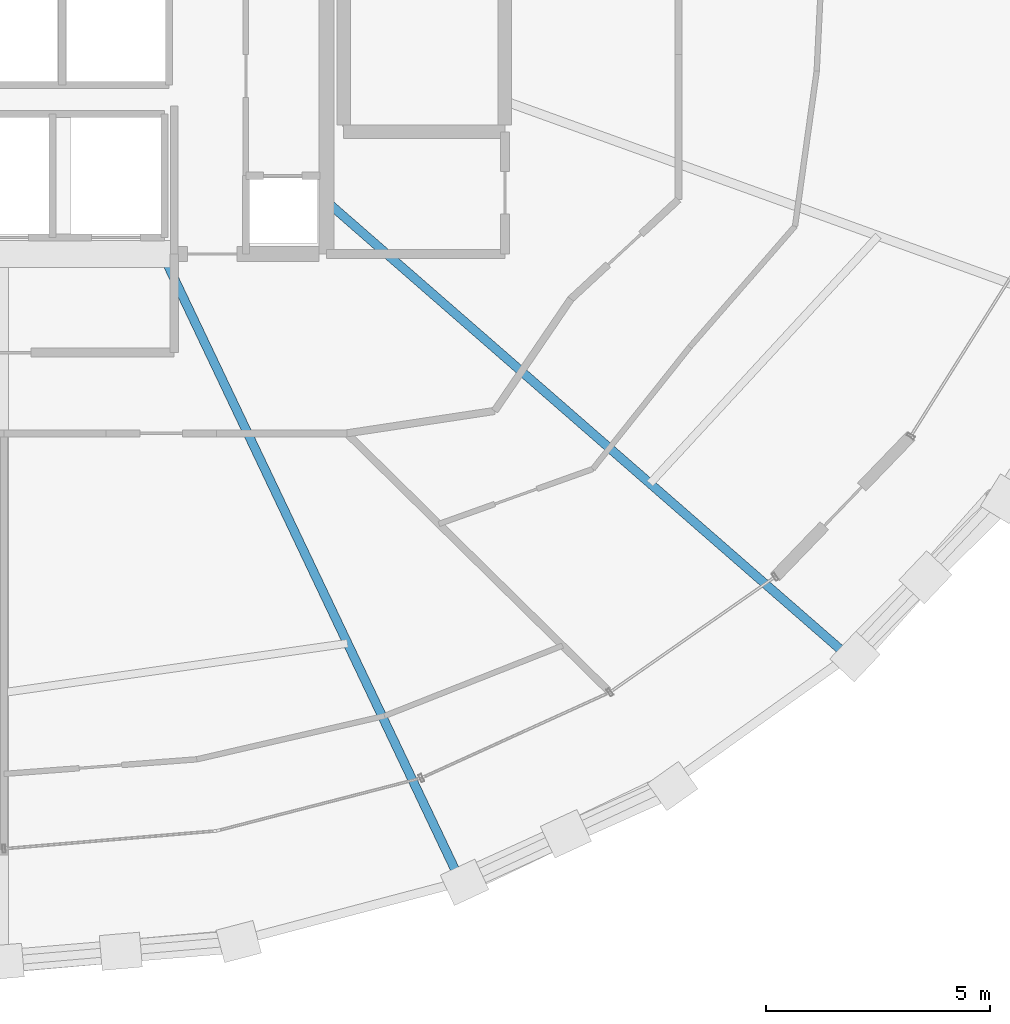
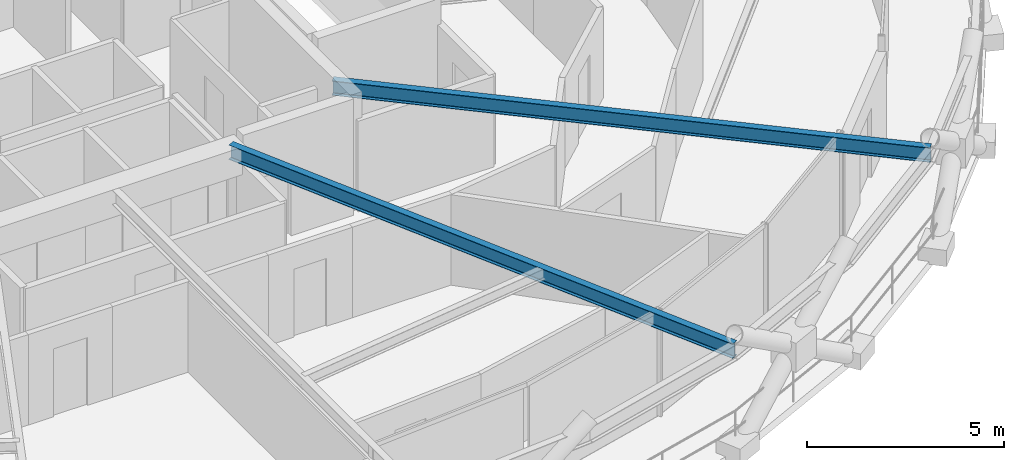
# One storey, part 5 of 16: 2 beams.
"""IFC4 building model written with IfcOpenShell, lengths in metres."""

from ifc_helpers import new_model, si_unit, direction, frame, origin, origin_2d, place, context, subcontext, project, spatial, i_section, extrude, material, material_profile, profile_set, type_object, element, save


model = new_model("IFC4")

# Units and contexts
model_context = context("Model", 3, precision=1e-05, world=origin(), true_north=direction((0.0, 1.0)))
body_context = subcontext(model_context, "Body", "Model", "MODEL_VIEW")
ifc_project = project(units=[si_unit("LENGTHUNIT", "METRE"), si_unit("AREAUNIT", "SQUARE_METRE"), si_unit("VOLUMEUNIT", "CUBIC_METRE"), si_unit("PLANEANGLEUNIT", "RADIAN"), si_unit("MASSUNIT", "GRAM", prefix="KILO")], contexts=[model_context])

# Site, building, storey
site_placement = place(None, origin())
site = spatial("IfcSite", under=ifc_project, at=site_placement, CompositionType="ELEMENT")
building_placement = place(site_placement, origin())
building = spatial("IfcBuilding", under=site, at=building_placement, Name="Veldorina Hangang Commons", CompositionType="ELEMENT")
storey_placement = place(building_placement, frame((0.0, 0.0, 192.800048828125)))
storey = spatial("IfcBuildingStorey", under=building, at=storey_placement, Name="L50", CompositionType="ELEMENT", Elevation=192.800048828125)

# Beams
ifc_material = material(Name="Steel SM355-TMC", Category="steel")
ifc_material_profile = material_profile(ifc_material, i_section(OverallWidth=0.199951171875, OverallDepth=0.449951171875, WebThickness=0.009033203125, FlangeThickness=0.013916015625, FilletRadius=0.01611328125, at=origin_2d()), Name="H-450x200x9x14")
ifc_profile_set = profile_set([ifc_material_profile], Name="Steel SM355-TMC")
beam_type = type_object("IfcBeamType", Name="BM-FG450", PredefinedType="BEAM", material=ifc_profile_set)
beam_1_placement = place(storey_placement, frame((35.539794921875, 16.550048828125, 3.125), z_axis=(0.42916853265, -0.903224429798, 0.0), x_axis=(0.903224429798, 0.42916853265, 0.0)))
element("IfcBeam", 1, at=beam_1_placement, inside=storey, type_object=beam_type, Name="L50 radial floor girder 14", PredefinedType="BEAM", context=body_context, shape_type="SweptSolid", body=[
    extrude(i_section(OverallWidth=0.199951171875, OverallDepth=0.449951171875, WebThickness=0.009033203125, FlangeThickness=0.013916015625, FilletRadius=0.01611328125, at=origin_2d()), origin(), (0.0, 0.0, 1.0), 15.511962890625),
])
beam_2_placement = place(storey_placement, frame((39.199951171875, 17.723388671875, 3.125), z_axis=(0.753792605876, -0.657112400832, 0.0), x_axis=(0.657112400832, 0.753792605876, 0.0)))
element("IfcBeam", 2, at=beam_2_placement, inside=storey, type_object=beam_type, Name="L50 radial floor girder 15", PredefinedType="BEAM", context=body_context, shape_type="SweptSolid", body=[
    extrude(i_section(OverallWidth=0.199951171875, OverallDepth=0.449951171875, WebThickness=0.009033203125, FlangeThickness=0.013916015625, FilletRadius=0.01611328125, at=origin_2d()), origin(), (0.0, 0.0, 1.0), 15.4443359375),
])

save(model, "model.ifc")
